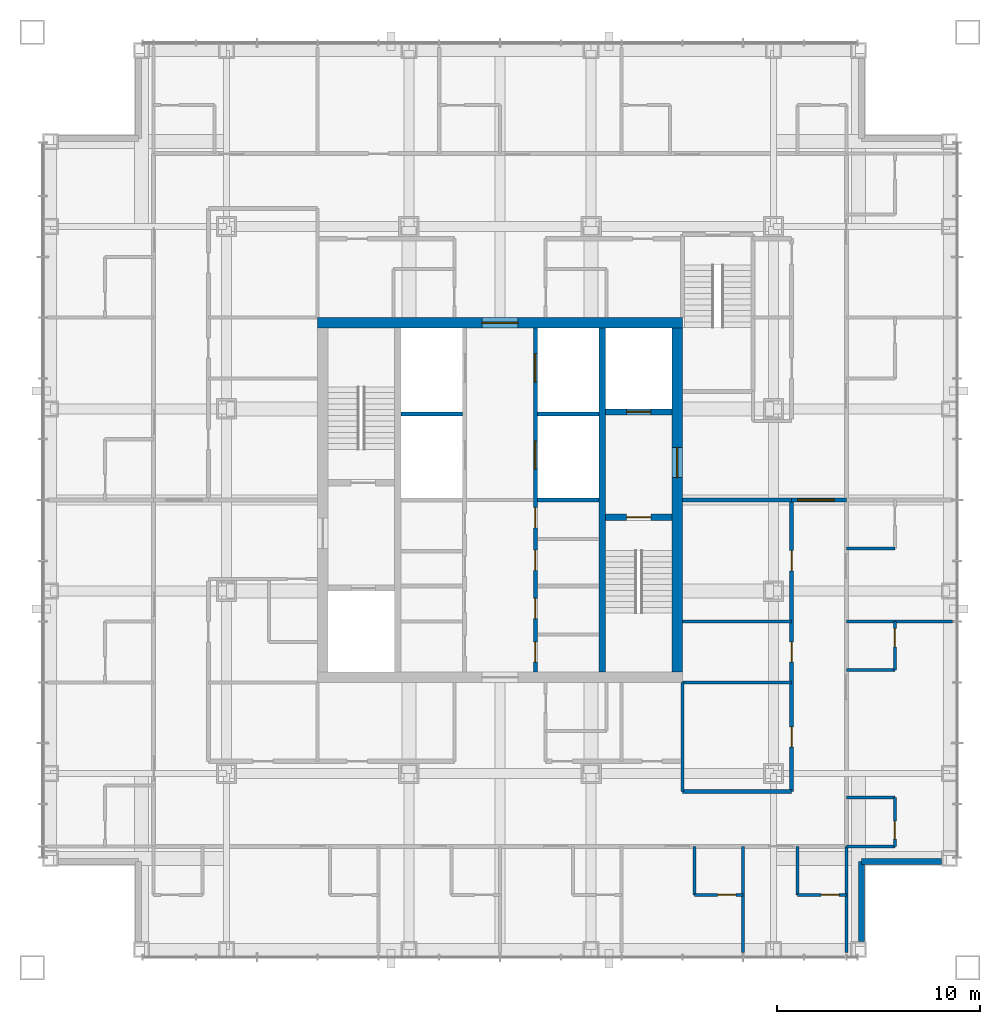
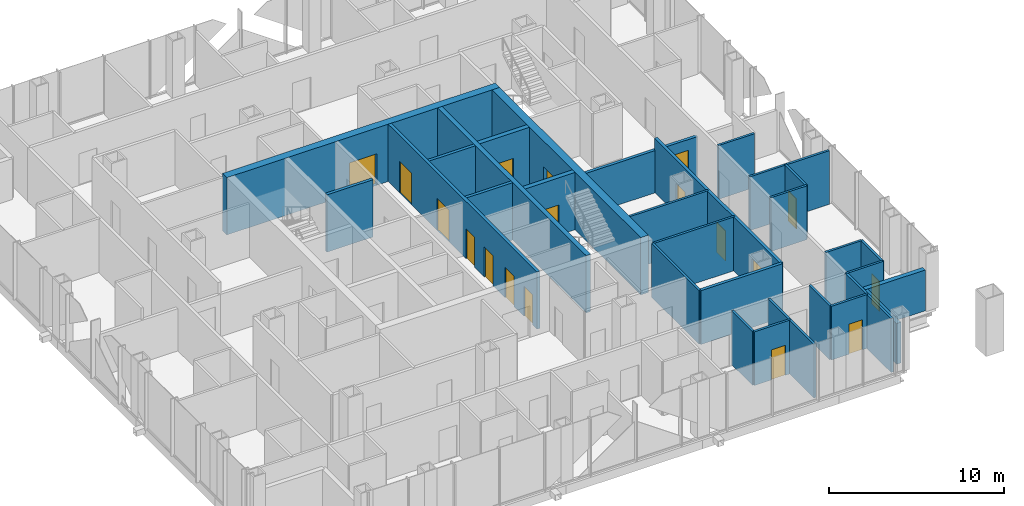
# One storey, part 14 of 17: 31 walls, 18 doors, 18 openings.
"""IFC4 building model written with IfcOpenShell, lengths in metres."""

from ifc_helpers import new_model, si_unit, direction, frame, frame_2d, origin, place, context, subcontext, project, spatial, rectangle, extrude, material, layer, layer_set, type_object, element, fill, save


model = new_model("IFC4")

# Units and contexts
model_context = context("Model", 3, precision=1e-05, world=origin(), true_north=direction((0.0, 1.0)))
body_context = subcontext(model_context, "Body", "Model", "MODEL_VIEW")
ifc_project = project(units=[si_unit("LENGTHUNIT", "METRE"), si_unit("AREAUNIT", "SQUARE_METRE"), si_unit("VOLUMEUNIT", "CUBIC_METRE"), si_unit("PLANEANGLEUNIT", "RADIAN"), si_unit("MASSUNIT", "GRAM", prefix="KILO")], contexts=[model_context])

# Site, building, storey
site_placement = place(None, origin())
site = spatial("IfcSite", under=ifc_project, at=site_placement, CompositionType="ELEMENT")
building_placement = place(site_placement, origin())
building = spatial("IfcBuilding", under=site, at=building_placement, Name="Malebo Sky Hospital", CompositionType="ELEMENT")
storey_placement = place(building_placement, frame((0.0, 0.0, 189.0)))
storey = spatial("IfcBuildingStorey", under=building, at=storey_placement, Name="L45", CompositionType="ELEMENT", Elevation=189.0)

# Wall, openings, doors
ifc_material_1 = material(Name="Concrete C80/95", Category="concrete")
ifc_layer_1 = layer(ifc_material_1, 0.199951171875)
ifc_layer_set_1 = layer_set([ifc_layer_1], Name="CORE INNER WALL 200")
wall_type_1 = type_object("IfcWallType", Name="CORE INNER WALL 200", PredefinedType="SHEAR", material=ifc_layer_set_1)
wall_1_placement = place(storey_placement, frame((61.75, 53.5, 0.0), z_axis=(0.0, 0.0, 1.0), x_axis=(0.0, 1.0, 0.0)))
wall_1 = element("IfcWall", 1, at=wall_1_placement, inside=storey, type_object=wall_type_1, Name="Core wall LE L45", PredefinedType="SHEAR", context=body_context, shape_type="SweptSolid", body=[
    extrude(rectangle(XDim=17.0, YDim=0.199951171875, at=frame_2d((8.5, 0.0))), origin(), (0.0, 0.0, 1.0), 4.0),
])
opening_1_placement = place(wall_1_placement, frame((0.49609375, 0.0, 0.0)))
opening_1 = element("IfcOpeningElement", 2, at=opening_1_placement, cuts=wall_1, Name="Opening D17", PredefinedType="OPENING", context=body_context, shape_type="SweptSolid", body=[
    extrude(rectangle(XDim=1.0, YDim=2.10009765625, at=frame_2d((0.5, 1.050048828125))), frame((0.0, 0.10986328125, 0.0), z_axis=(0.0, -1.0, 0.0), x_axis=(1.0, 0.0, 0.0)), (0.0, 0.0, 1.0), 0.219970703125),
])
opening_2_placement = place(wall_1_placement, frame((2.64599609375, 0.0, 0.0)))
opening_2 = element("IfcOpeningElement", 3, at=opening_2_placement, cuts=wall_1, Name="Opening D17", PredefinedType="OPENING", context=body_context, shape_type="SweptSolid", body=[
    extrude(rectangle(XDim=1.0, YDim=2.10009765625, at=frame_2d((0.5, 1.050048828125))), frame((0.0, 0.10986328125, 0.0), z_axis=(0.0, -1.0, 0.0), x_axis=(1.0, 0.0, 0.0)), (0.0, 0.0, 1.0), 0.219970703125),
])
opening_3_placement = place(wall_1_placement, frame((5.026611328125, 0.0, 0.0)))
opening_3 = element("IfcOpeningElement", 4, at=opening_3_placement, cuts=wall_1, Name="Opening D17", PredefinedType="OPENING", context=body_context, shape_type="SweptSolid", body=[
    extrude(rectangle(XDim=1.0, YDim=2.10009765625, at=frame_2d((0.5, 1.050048828125))), frame((0.0, 0.10986328125, 0.0), z_axis=(0.0, -1.0, 0.0), x_axis=(1.0, 0.0, 0.0)), (0.0, 0.0, 1.0), 0.219970703125),
])
opening_4_placement = place(wall_1_placement, frame((7.12646484375, 0.0, 0.0)))
opening_4 = element("IfcOpeningElement", 5, at=opening_4_placement, cuts=wall_1, Name="Opening D17", PredefinedType="OPENING", context=body_context, shape_type="SweptSolid", body=[
    extrude(rectangle(XDim=1.0, YDim=2.10009765625, at=frame_2d((0.5, 1.050048828125))), frame((0.0, 0.10986328125, 0.0), z_axis=(0.0, -1.0, 0.0), x_axis=(1.0, 0.0, 0.0)), (0.0, 0.0, 1.0), 0.219970703125),
])
opening_5_placement = place(wall_1_placement, frame((10.02490234375, 0.0, 0.0)))
opening_5 = element("IfcOpeningElement", 6, at=opening_5_placement, cuts=wall_1, Name="Opening LD1", PredefinedType="OPENING", context=body_context, shape_type="SweptSolid", body=[
    extrude(rectangle(XDim=1.39990234375, YDim=2.199951171875, at=frame_2d((0.699951171875, 1.10009765625))), frame((0.0, 0.10986328125, 0.0), z_axis=(0.0, -1.0, 0.0), x_axis=(1.0, 0.0, 0.0)), (0.0, 0.0, 1.0), 0.219970703125),
])
opening_6_placement = place(wall_1_placement, frame((14.324951171875, 0.0, 0.0)))
opening_6 = element("IfcOpeningElement", 7, at=opening_6_placement, cuts=wall_1, Name="Opening LD1", PredefinedType="OPENING", context=body_context, shape_type="SweptSolid", body=[
    extrude(rectangle(XDim=1.39990234375, YDim=2.199951171875, at=frame_2d((0.699951171875, 1.10009765625))), frame((0.0, 0.10986328125, 0.0), z_axis=(0.0, -1.0, 0.0), x_axis=(1.0, 0.0, 0.0)), (0.0, 0.0, 1.0), 0.219970703125),
])
ifc_material_2 = material(Name="Hardwood-faced door leaf in steel frame", Category="steel")
door_type_1 = type_object("IfcDoorType", Name="FIRE DOOR 1000", OperationType="SINGLE_SWING_LEFT", PredefinedType="DOOR", material=ifc_material_2)
door_1_placement = place(opening_1_placement, origin())
door_1 = element("IfcDoor", 8, at=door_1_placement, inside=storey, type_object=door_type_1, Name="Records store door", OperationType="SINGLE_SWING_RIGHT", OverallHeight=2.10009765625, OverallWidth=1.0, PredefinedType="DOOR", context=body_context, shape_type="SweptSolid", body=[
    extrude(rectangle(XDim=1.0, YDim=2.10009765625, at=frame_2d((0.5, 1.050048828125))), frame((0.0, 0.02490234375, 0.0), z_axis=(0.0, -1.0, 0.0), x_axis=(1.0, 0.0, 0.0)), (0.0, 0.0, 1.0), 0.050048828125),
])
fill(opening_1, door_1)
door_2_placement = place(opening_2_placement, origin())
door_2 = element("IfcDoor", 9, at=door_2_placement, inside=storey, type_object=door_type_1, Name="Equipment store door", OperationType="SINGLE_SWING_RIGHT", OverallHeight=2.10009765625, OverallWidth=1.0, PredefinedType="DOOR", context=body_context, shape_type="SweptSolid", body=[
    extrude(rectangle(XDim=1.0, YDim=2.10009765625, at=frame_2d((0.5, 1.050048828125))), frame((0.0, 0.02490234375, 0.0), z_axis=(0.0, -1.0, 0.0), x_axis=(1.0, 0.0, 0.0)), (0.0, 0.0, 1.0), 0.050048828125),
])
fill(opening_2, door_2)
door_3_placement = place(opening_3_placement, origin())
door_3 = element("IfcDoor", 10, at=door_3_placement, inside=storey, type_object=door_type_1, Name="Linen store door", OperationType="SINGLE_SWING_RIGHT", OverallHeight=2.10009765625, OverallWidth=1.0, PredefinedType="DOOR", context=body_context, shape_type="SweptSolid", body=[
    extrude(rectangle(XDim=1.0, YDim=2.10009765625, at=frame_2d((0.5, 1.050048828125))), frame((0.0, 0.02490234375, 0.0), z_axis=(0.0, -1.0, 0.0), x_axis=(1.0, 0.0, 0.0)), (0.0, 0.0, 1.0), 0.050048828125),
])
fill(opening_3, door_3)
door_4_placement = place(opening_4_placement, origin())
door_4 = element("IfcDoor", 11, at=door_4_placement, inside=storey, type_object=door_type_1, Name="Supplies store door", OperationType="SINGLE_SWING_RIGHT", OverallHeight=2.10009765625, OverallWidth=1.0, PredefinedType="DOOR", context=body_context, shape_type="SweptSolid", body=[
    extrude(rectangle(XDim=1.0, YDim=2.10009765625, at=frame_2d((0.5, 1.050048828125))), frame((0.0, 0.02490234375, 0.0), z_axis=(0.0, -1.0, 0.0), x_axis=(1.0, 0.0, 0.0)), (0.0, 0.0, 1.0), 0.050048828125),
])
fill(opening_4, door_4)
ifc_material_3 = material(Name="Stainless steel sliding landing door", Category="steel")
door_type_2 = type_object("IfcDoorType", Name="LIFT LANDING DOOR 1400", OperationType="SLIDING_TO_LEFT", PredefinedType="DOOR", material=ifc_material_3)
door_5_placement = place(opening_5_placement, origin())
door_5 = element("IfcDoor", 12, at=door_5_placement, inside=storey, type_object=door_type_2, Name="Lift E3 landing door", OperationType="SLIDING_TO_LEFT", OverallHeight=2.199951171875, OverallWidth=1.39990234375, PredefinedType="DOOR", context=body_context, shape_type="SweptSolid", body=[
    extrude(rectangle(XDim=1.39990234375, YDim=2.199951171875, at=frame_2d((0.699951171875, 1.10009765625))), frame((0.0, 0.02490234375, 0.0), z_axis=(0.0, -1.0, 0.0), x_axis=(1.0, 0.0, 0.0)), (0.0, 0.0, 1.0), 0.050048828125),
])
fill(opening_5, door_5)
door_6_placement = place(opening_6_placement, origin())
door_6 = element("IfcDoor", 13, at=door_6_placement, inside=storey, type_object=door_type_2, Name="Lift E4 landing door", OperationType="SLIDING_TO_LEFT", OverallHeight=2.199951171875, OverallWidth=1.39990234375, PredefinedType="DOOR", context=body_context, shape_type="SweptSolid", body=[
    extrude(rectangle(XDim=1.39990234375, YDim=2.199951171875, at=frame_2d((0.699951171875, 1.10009765625))), frame((0.0, 0.02490234375, 0.0), z_axis=(0.0, -1.0, 0.0), x_axis=(1.0, 0.0, 0.0)), (0.0, 0.0, 1.0), 0.050048828125),
])
fill(opening_6, door_6)

# Walls
for number, where, z_axis, x_axis, name in (
    (14, (61.85009765625, 62.0, 0.0), (0.0, 0.0, 1.0), (1.0, 0.0, 0.0), "Core wall SE1 L45"),
    (15, (55.10009765625, 66.25, 0.0), (0.0, 0.0, 1.0), (1.0, 0.0, 0.0), "Core wall SW2 L45"),
    (16, (61.85009765625, 66.25, 0.0), (0.0, 0.0, 1.0), (1.0, 0.0, 0.0), "Core wall SE2 L45"),
):
    element("IfcWall", number, at=place(storey_placement, frame(where, z_axis=z_axis, x_axis=x_axis)), inside=storey, type_object=wall_type_1, Name=name, PredefinedType="SHEAR", context=body_context, shape_type="SweptSolid", body=[
        extrude(rectangle(XDim=3.0498046875, YDim=0.199951171875, at=frame_2d((1.52490234375, 0.0))), origin(), (0.0, 0.0, 1.0), 4.0),
    ])
ifc_layer_2 = layer(ifc_material_1, 0.300048828125)
ifc_layer_set_2 = layer_set([ifc_layer_2], Name="CORE INNER WALL 300")
wall_type_2 = type_object("IfcWallType", Name="CORE INNER WALL 300", PredefinedType="SHEAR", material=ifc_layer_set_2)
wall_2_placement = place(storey_placement, frame((65.050048828125, 53.5, 0.0), z_axis=(0.0, 0.0, 1.0), x_axis=(0.0, 1.0, 0.0)))
element("IfcWall", 17, at=wall_2_placement, inside=storey, type_object=wall_type_2, Name="Core wall XE L45", PredefinedType="SHEAR", context=body_context, shape_type="SweptSolid", body=[
    extrude(rectangle(XDim=17.0, YDim=0.300048828125, at=frame_2d((8.5, 0.0))), origin(), (0.0, 0.0, 1.0), 4.0),
])

# Wall, opening, door
wall_3_placement = place(storey_placement, frame((65.199951171875, 61.14990234375, 0.0), z_axis=(0.0, 0.0, 1.0), x_axis=(1.0, 0.0, 0.0)))
wall_3 = element("IfcWall", 18, at=wall_3_placement, inside=storey, type_object=wall_type_2, Name="Core wall E1 L45", PredefinedType="SHEAR", context=body_context, shape_type="SweptSolid", body=[
    extrude(rectangle(XDim=3.300048828125, YDim=0.300048828125, at=frame_2d((1.64990234375, 0.0))), origin(), (0.0, 0.0, 1.0), 4.0),
])
opening_7_placement = place(wall_3_placement, frame((1.050048828125, 0.0, 0.0)))
opening_7 = element("IfcOpeningElement", 19, at=opening_7_placement, cuts=wall_3, Name="Opening D08", PredefinedType="OPENING", context=body_context, shape_type="SweptSolid", body=[
    extrude(rectangle(XDim=1.199951171875, YDim=2.10009765625, at=frame_2d((0.60009765625, 1.050048828125))), frame((0.0, 0.159912109375, 0.0), z_axis=(0.0, -1.0, 0.0), x_axis=(1.0, 0.0, 0.0)), (0.0, 0.0, 1.0), 0.320068359375),
])
door_type_3 = type_object("IfcDoorType", Name="STAIR DOOR 1200", OperationType="SINGLE_SWING_LEFT", PredefinedType="DOOR", material=ifc_material_2)
door_7_placement = place(opening_7_placement, origin())
door_7 = element("IfcDoor", 20, at=door_7_placement, inside=storey, type_object=door_type_3, Name="Stair S2 door", OperationType="SINGLE_SWING_LEFT", OverallHeight=2.10009765625, OverallWidth=1.199951171875, PredefinedType="DOOR", context=body_context, shape_type="SweptSolid", body=[
    extrude(rectangle(XDim=1.199951171875, YDim=2.10009765625, at=frame_2d((0.60009765625, 1.050048828125))), frame((0.0, 0.02490234375, 0.0), z_axis=(0.0, -1.0, 0.0), x_axis=(1.0, 0.0, 0.0)), (0.0, 0.0, 1.0), 0.050048828125),
])
fill(opening_7, door_7)

wall_4_placement = place(storey_placement, frame((65.199951171875, 66.35009765625, 0.0), z_axis=(0.0, 0.0, 1.0), x_axis=(1.0, 0.0, 0.0)))
wall_4 = element("IfcWall", 21, at=wall_4_placement, inside=storey, type_object=wall_type_2, Name="Core wall E2 L45", PredefinedType="SHEAR", context=body_context, shape_type="SweptSolid", body=[
    extrude(rectangle(XDim=3.300048828125, YDim=0.300048828125, at=frame_2d((1.64990234375, 0.0))), origin(), (0.0, 0.0, 1.0), 4.0),
])
opening_8_placement = place(wall_4_placement, frame((1.050048828125, 0.0, 0.0)))
opening_8 = element("IfcOpeningElement", 22, at=opening_8_placement, cuts=wall_4, Name="Opening LD2", PredefinedType="OPENING", context=body_context, shape_type="SweptSolid", body=[
    extrude(rectangle(XDim=1.199951171875, YDim=2.199951171875, at=frame_2d((0.60009765625, 1.10009765625))), frame((0.0, 0.159912109375, 0.0), z_axis=(0.0, -1.0, 0.0), x_axis=(1.0, 0.0, 0.0)), (0.0, 0.0, 1.0), 0.320068359375),
])
door_type_4 = type_object("IfcDoorType", Name="FIRE-FIGHTING LIFT LANDING DOOR 1200", OperationType="SLIDING_TO_LEFT", PredefinedType="DOOR", material=ifc_material_3)
door_8_placement = place(opening_8_placement, origin())
door_8 = element("IfcDoor", 23, at=door_8_placement, inside=storey, type_object=door_type_4, Name="Lift FL2 landing door", OperationType="SLIDING_TO_LEFT", OverallHeight=2.199951171875, OverallWidth=1.199951171875, PredefinedType="DOOR", context=body_context, shape_type="SweptSolid", body=[
    extrude(rectangle(XDim=1.199951171875, YDim=2.199951171875, at=frame_2d((0.60009765625, 1.10009765625))), frame((0.0, 0.02490234375, 0.0), z_axis=(0.0, -1.0, 0.0), x_axis=(1.0, 0.0, 0.0)), (0.0, 0.0, 1.0), 0.050048828125),
])
fill(opening_8, door_8)

ifc_layer_3 = layer(ifc_material_1, 0.5)
ifc_layer_set_3 = layer_set([ifc_layer_3], Name="CORE WALL 500")
wall_type_3 = type_object("IfcWallType", Name="CORE WALL 500", PredefinedType="SHEAR", material=ifc_layer_set_3)
wall_5_placement = place(storey_placement, frame((51.0, 70.75, 0.0), z_axis=(0.0, 0.0, 1.0), x_axis=(1.0, 0.0, 0.0)))
wall_5 = element("IfcWall", 24, at=wall_5_placement, inside=storey, type_object=wall_type_3, Name="Core wall N L45", PredefinedType="SHEAR", context=body_context, shape_type="SweptSolid", body=[
    extrude(rectangle(XDim=18.0, YDim=0.5, at=frame_2d((9.0, 0.0))), origin(), (0.0, 0.0, 1.0), 4.0),
])
opening_9_placement = place(wall_5_placement, frame((8.10009765625, 0.0, 0.0)))
opening_9 = element("IfcOpeningElement", 25, at=opening_9_placement, cuts=wall_5, Name="Opening D06", PredefinedType="OPENING", context=body_context, shape_type="SweptSolid", body=[
    extrude(rectangle(XDim=1.800048828125, YDim=2.199951171875, at=frame_2d((0.89990234375, 1.10009765625))), frame((0.0, 0.260009765625, 0.0), z_axis=(0.0, -1.0, 0.0), x_axis=(1.0, 0.0, 0.0)), (0.0, 0.0, 1.0), 0.52001953125),
])
door_type_5 = type_object("IfcDoorType", Name="LOBBY DOOR PAIR 1800", OperationType="DOUBLE_DOOR_SINGLE_SWING", PredefinedType="DOOR", material=ifc_material_2)
door_9_placement = place(opening_9_placement, origin())
door_9 = element("IfcDoor", 26, at=door_9_placement, inside=storey, type_object=door_type_5, Name="Lift lobby door north", OperationType="DOUBLE_DOOR_SINGLE_SWING", OverallHeight=2.199951171875, OverallWidth=1.800048828125, PredefinedType="DOOR", context=body_context, shape_type="SweptSolid", body=[
    extrude(rectangle(XDim=1.800048828125, YDim=2.199951171875, at=frame_2d((0.89990234375, 1.10009765625))), frame((0.0, 0.02490234375, 0.0), z_axis=(0.0, -1.0, 0.0), x_axis=(1.0, 0.0, 0.0)), (0.0, 0.0, 1.0), 0.050048828125),
])
fill(opening_9, door_9)

wall_6_placement = place(storey_placement, frame((68.75, 53.5, 0.0), z_axis=(0.0, 0.0, 1.0), x_axis=(0.0, 1.0, 0.0)))
wall_6 = element("IfcWall", 27, at=wall_6_placement, inside=storey, type_object=wall_type_3, Name="Core wall E L45", PredefinedType="SHEAR", context=body_context, shape_type="SweptSolid", body=[
    extrude(rectangle(XDim=17.0, YDim=0.5, at=frame_2d((8.5, 0.0))), origin(), (0.0, 0.0, 1.0), 4.0),
])
opening_10_placement = place(wall_6_placement, frame((9.60009765625, 0.0, 0.0)))
opening_10 = element("IfcOpeningElement", 28, at=opening_10_placement, cuts=wall_6, Name="Opening D07", PredefinedType="OPENING", context=body_context, shape_type="SweptSolid", body=[
    extrude(rectangle(XDim=1.5, YDim=2.199951171875, at=frame_2d((0.75, 1.10009765625))), frame((0.0, 0.260009765625, 0.0), z_axis=(0.0, -1.0, 0.0), x_axis=(1.0, 0.0, 0.0)), (0.0, 0.0, 1.0), 0.52001953125),
])
door_type_6 = type_object("IfcDoorType", Name="FIRE-FIGHTING LOBBY DOOR PAIR 1500", OperationType="DOUBLE_DOOR_SINGLE_SWING", PredefinedType="DOOR", material=ifc_material_2)
door_10_placement = place(opening_10_placement, origin())
door_10 = element("IfcDoor", 29, at=door_10_placement, inside=storey, type_object=door_type_6, Name="Fire-fighting lobby door east", OperationType="DOUBLE_DOOR_SINGLE_SWING", OverallHeight=2.199951171875, OverallWidth=1.5, PredefinedType="DOOR", context=body_context, shape_type="SweptSolid", body=[
    extrude(rectangle(XDim=1.5, YDim=2.199951171875, at=frame_2d((0.75, 1.10009765625))), frame((0.0, 0.02490234375, 0.0), z_axis=(0.0, -1.0, 0.0), x_axis=(1.0, 0.0, 0.0)), (0.0, 0.0, 1.0), 0.050048828125),
])
fill(opening_10, door_10)

# Wall
ifc_material_4 = material(Name="Gypsum board on steel studs", Category="steel")
ifc_layer_4 = layer(ifc_material_4, 0.199951171875)
ifc_layer_set_4 = layer_set([ifc_layer_4], Name="CORRIDOR WALL 200")
wall_type_4 = type_object("IfcWallType", Name="CORRIDOR WALL 200", PredefinedType="PARTITIONING", material=ifc_layer_set_4)
wall_7_placement = place(storey_placement, frame((74.39990234375, 47.60009765625, 0.0), z_axis=(0.0, 0.0, 1.0), x_axis=(-1.0, 0.0, 0.0)))
element("IfcWall", 30, at=wall_7_placement, inside=storey, type_object=wall_type_4, Name="Corridor Wall 200 SCIK", PredefinedType="PARTITIONING", context=body_context, shape_type="SweptSolid", body=[
    extrude(rectangle(XDim=5.39990234375, YDim=0.199951171875, at=frame_2d((2.699951171875, 0.0))), origin(), (0.0, 0.0, 1.0), 3.75),
])

# Wall, openings, doors
wall_8_placement = place(storey_placement, frame((74.39990234375, 62.0, 0.0), z_axis=(0.0, 0.0, 1.0), x_axis=(0.0, -1.0, 0.0)))
wall_8 = element("IfcWall", 31, at=wall_8_placement, inside=storey, type_object=wall_type_4, Name="Corridor Wall 200 ECI2", PredefinedType="PARTITIONING", context=body_context, shape_type="SweptSolid", body=[
    extrude(rectangle(XDim=14.39990234375, YDim=0.199951171875, at=frame_2d((7.199951171875, 0.0))), origin(), (0.0, 0.0, 1.0), 3.75),
])
opening_11_placement = place(wall_8_placement, frame((2.5, 0.0, 0.0)))
opening_11 = element("IfcOpeningElement", 32, at=opening_11_placement, cuts=wall_8, Name="Opening D03", PredefinedType="OPENING", context=body_context, shape_type="SweptSolid", body=[
    extrude(rectangle(XDim=1.0, YDim=2.10009765625, at=frame_2d((0.5, 1.050048828125))), frame((0.0, 0.10986328125, 0.0), z_axis=(0.0, -1.0, 0.0), x_axis=(1.0, 0.0, 0.0)), (0.0, 0.0, 1.0), 0.219970703125),
])
opening_12_placement = place(wall_8_placement, frame((7.0, 0.0, 0.0)))
opening_12 = element("IfcOpeningElement", 33, at=opening_12_placement, cuts=wall_8, Name="Opening D03", PredefinedType="OPENING", context=body_context, shape_type="SweptSolid", body=[
    extrude(rectangle(XDim=1.0, YDim=2.10009765625, at=frame_2d((0.5, 1.050048828125))), frame((0.0, 0.10986328125, 0.0), z_axis=(0.0, -1.0, 0.0), x_axis=(1.0, 0.0, 0.0)), (0.0, 0.0, 1.0), 0.219970703125),
])
opening_13_placement = place(wall_8_placement, frame((11.199951171875, 0.0, 0.0)))
opening_13 = element("IfcOpeningElement", 34, at=opening_13_placement, cuts=wall_8, Name="Opening D03", PredefinedType="OPENING", context=body_context, shape_type="SweptSolid", body=[
    extrude(rectangle(XDim=1.0, YDim=2.10009765625, at=frame_2d((0.5, 1.050048828125))), frame((0.0, 0.10986328125, 0.0), z_axis=(0.0, -1.0, 0.0), x_axis=(1.0, 0.0, 0.0)), (0.0, 0.0, 1.0), 0.219970703125),
])
door_type_7 = type_object("IfcDoorType", Name="ROOM DOOR 1000", OperationType="SINGLE_SWING_LEFT", PredefinedType="DOOR", material=ifc_material_2)
door_11_placement = place(opening_11_placement, origin())
door_11 = element("IfcDoor", 35, at=door_11_placement, inside=storey, type_object=door_type_7, Name="Treatment room door", OperationType="SINGLE_SWING_LEFT", OverallHeight=2.10009765625, OverallWidth=1.0, PredefinedType="DOOR", context=body_context, shape_type="SweptSolid", body=[
    extrude(rectangle(XDim=1.0, YDim=2.10009765625, at=frame_2d((0.5, 1.050048828125))), frame((0.0, 0.02490234375, 0.0), z_axis=(0.0, -1.0, 0.0), x_axis=(1.0, 0.0, 0.0)), (0.0, 0.0, 1.0), 0.050048828125),
])
fill(opening_11, door_11)
door_12_placement = place(opening_12_placement, origin())
door_12 = element("IfcDoor", 36, at=door_12_placement, inside=storey, type_object=door_type_7, Name="Medication room door", OperationType="SINGLE_SWING_LEFT", OverallHeight=2.10009765625, OverallWidth=1.0, PredefinedType="DOOR", context=body_context, shape_type="SweptSolid", body=[
    extrude(rectangle(XDim=1.0, YDim=2.10009765625, at=frame_2d((0.5, 1.050048828125))), frame((0.0, 0.02490234375, 0.0), z_axis=(0.0, -1.0, 0.0), x_axis=(1.0, 0.0, 0.0)), (0.0, 0.0, 1.0), 0.050048828125),
])
fill(opening_12, door_12)
door_13_placement = place(opening_13_placement, origin())
door_13 = element("IfcDoor", 37, at=door_13_placement, inside=storey, type_object=door_type_7, Name="Ward pantry door", OperationType="SINGLE_SWING_RIGHT", OverallHeight=2.10009765625, OverallWidth=1.0, PredefinedType="DOOR", context=body_context, shape_type="SweptSolid", body=[
    extrude(rectangle(XDim=1.0, YDim=2.10009765625, at=frame_2d((0.5, 1.050048828125))), frame((0.0, 0.02490234375, 0.0), z_axis=(0.0, -1.0, 0.0), x_axis=(1.0, 0.0, 0.0)), (0.0, 0.0, 1.0), 0.050048828125),
])
fill(opening_13, door_13)

# Walls
ifc_material_5 = material(Name="Anodised aluminium rainscreen on steel framing", Category="steel")
ifc_layer_5 = layer(ifc_material_5, 0.300048828125)
ifc_layer_set_5 = layer_set([ifc_layer_5], Name="NOTCH RAINSCREEN WALL 300")
wall_type_5 = type_object("IfcWallType", Name="NOTCH RAINSCREEN WALL 300", PredefinedType="ELEMENTEDWALL", material=ifc_layer_set_5)
for number, where, z_axis, x_axis, name in (
    (38, (81.800048828125, 44.14990234375, 0.0), (0.0, 0.0, 1.0), (-1.0, 0.0, 0.0), "Notch rainscreen wall E1 L45"),
    (39, (77.85009765625, 44.14990234375, 0.0), (0.0, 0.0, 1.0), (0.0, -1.0, 0.0), "Notch rainscreen wall E2 L45"),
):
    element("IfcWall", number, at=place(storey_placement, frame(where, z_axis=z_axis, x_axis=x_axis)), inside=storey, type_object=wall_type_5, Name=name, PredefinedType="ELEMENTEDWALL", context=body_context, shape_type="SweptSolid", body=[
        extrude(rectangle(XDim=3.949951171875, YDim=0.300048828125, at=frame_2d((1.97509765625, 0.0))), origin(), (0.0, 0.0, 1.0), 2.85009765625),
    ])
ifc_layer_6 = layer(ifc_material_4, 0.14990234375)
ifc_layer_set_6 = layer_set([ifc_layer_6], Name="PARTITION 150")
wall_type_6 = type_object("IfcWallType", Name="PARTITION 150", PredefinedType="PARTITIONING", material=ifc_layer_set_6)
for number, where, z_axis, x_axis, name in (
    (40, (72.0, 44.89990234375, 0.0), (0.0, 0.0, 1.0), (0.0, -1.0, 0.0), "Partition 150 SP-12.0"),
    (41, (77.10009765625, 44.89990234375, 0.0), (0.0, 0.0, 1.0), (0.0, -1.0, 0.0), "Partition 150 SP0"),
):
    element("IfcWall", number, at=place(storey_placement, frame(where, z_axis=z_axis, x_axis=x_axis)), inside=storey, type_object=wall_type_6, Name=name, PredefinedType="PARTITIONING", context=body_context, shape_type="SweptSolid", body=[
        extrude(rectangle(XDim=5.25, YDim=0.14990234375, at=frame_2d((2.625, 0.0))), origin(), (0.0, 0.0, 1.0), 3.75),
    ])

# Wall, opening, door
wall_9_placement = place(storey_placement, frame((77.10009765625, 42.5, 0.0), z_axis=(0.0, 0.0, 1.0), x_axis=(-1.0, 0.0, 0.0)))
wall_9 = element("IfcWall", 42, at=wall_9_placement, inside=storey, type_object=wall_type_6, Name="Partition 150 SE0F", PredefinedType="PARTITIONING", context=body_context, shape_type="SweptSolid", body=[
    extrude(rectangle(XDim=2.400146484375, YDim=0.14990234375, at=frame_2d((1.2001953125, 0.0))), origin(), (0.0, 0.0, 1.0), 3.75),
])
opening_14_placement = place(wall_9_placement, frame((0.35009765625, 0.0, 0.0)))
opening_14 = element("IfcOpeningElement", 43, at=opening_14_placement, cuts=wall_9, Name="Opening D02", PredefinedType="OPENING", context=body_context, shape_type="SweptSolid", body=[
    extrude(rectangle(XDim=0.89990234375, YDim=2.10009765625, at=frame_2d((0.449951171875, 1.050048828125))), frame((0.0, 0.0849609375, 0.0), z_axis=(0.0, -1.0, 0.0), x_axis=(1.0, 0.0, 0.0)), (0.0, 0.0, 1.0), 0.169921875),
])
door_type_8 = type_object("IfcDoorType", Name="EN-SUITE DOOR 900", OperationType="SINGLE_SWING_LEFT", PredefinedType="DOOR", material=ifc_material_2)
door_14_placement = place(opening_14_placement, origin())
door_14 = element("IfcDoor", 44, at=door_14_placement, inside=storey, type_object=door_type_8, Name="En-suite door", OperationType="SINGLE_SWING_LEFT", OverallHeight=2.10009765625, OverallWidth=0.89990234375, PredefinedType="DOOR", context=body_context, shape_type="SweptSolid", body=[
    extrude(rectangle(XDim=0.89990234375, YDim=2.10009765625, at=frame_2d((0.449951171875, 1.050048828125))), frame((0.0, 0.02490234375, 0.0), z_axis=(0.0, -1.0, 0.0), x_axis=(1.0, 0.0, 0.0)), (0.0, 0.0, 1.0), 0.050048828125),
])
fill(opening_14, door_14)

# Wall
wall_10_placement = place(storey_placement, frame((74.699951171875, 44.89990234375, 0.0), z_axis=(0.0, 0.0, 1.0), x_axis=(0.0, -1.0, 0.0)))
element("IfcWall", 45, at=wall_10_placement, inside=storey, type_object=wall_type_6, Name="Partition 150 SE0S", PredefinedType="PARTITIONING", context=body_context, shape_type="SweptSolid", body=[
    extrude(rectangle(XDim=2.39990234375, YDim=0.14990234375, at=frame_2d((1.199951171875, 0.0))), origin(), (0.0, 0.0, 1.0), 3.75),
])

# Wall, opening, door
wall_11_placement = place(storey_placement, frame((72.0, 42.5, 0.0), z_axis=(0.0, 0.0, 1.0), x_axis=(-1.0, 0.0, 0.0)))
wall_11 = element("IfcWall", 46, at=wall_11_placement, inside=storey, type_object=wall_type_6, Name="Partition 150 SE1F", PredefinedType="PARTITIONING", context=body_context, shape_type="SweptSolid", body=[
    extrude(rectangle(XDim=2.39990234375, YDim=0.14990234375, at=frame_2d((1.199951171875, 0.0))), origin(), (0.0, 0.0, 1.0), 3.75),
])
opening_15_placement = place(wall_11_placement, frame((0.35009765625, 0.0, 0.0)))
opening_15 = element("IfcOpeningElement", 47, at=opening_15_placement, cuts=wall_11, Name="Opening D02", PredefinedType="OPENING", context=body_context, shape_type="SweptSolid", body=[
    extrude(rectangle(XDim=0.89990234375, YDim=2.10009765625, at=frame_2d((0.449951171875, 1.050048828125))), frame((0.0, 0.0849609375, 0.0), z_axis=(0.0, -1.0, 0.0), x_axis=(1.0, 0.0, 0.0)), (0.0, 0.0, 1.0), 0.169921875),
])
door_15_placement = place(opening_15_placement, origin())
door_15 = element("IfcDoor", 48, at=door_15_placement, inside=storey, type_object=door_type_8, Name="En-suite door", OperationType="SINGLE_SWING_LEFT", OverallHeight=2.10009765625, OverallWidth=0.89990234375, PredefinedType="DOOR", context=body_context, shape_type="SweptSolid", body=[
    extrude(rectangle(XDim=0.89990234375, YDim=2.10009765625, at=frame_2d((0.449951171875, 1.050048828125))), frame((0.0, 0.02490234375, 0.0), z_axis=(0.0, -1.0, 0.0), x_axis=(1.0, 0.0, 0.0)), (0.0, 0.0, 1.0), 0.050048828125),
])
fill(opening_15, door_15)

# Walls
wall_12_placement = place(storey_placement, frame((69.60009765625, 44.89990234375, 0.0), z_axis=(0.0, 0.0, 1.0), x_axis=(0.0, -1.0, 0.0)))
element("IfcWall", 49, at=wall_12_placement, inside=storey, type_object=wall_type_6, Name="Partition 150 SE1S", PredefinedType="PARTITIONING", context=body_context, shape_type="SweptSolid", body=[
    extrude(rectangle(XDim=2.39990234375, YDim=0.14990234375, at=frame_2d((1.199951171875, 0.0))), origin(), (0.0, 0.0, 1.0), 3.75),
])
wall_13_placement = place(storey_placement, frame((69.0, 53.0, 0.0), z_axis=(0.0, 0.0, 1.0), x_axis=(0.0, -1.0, 0.0)))
element("IfcWall", 50, at=wall_13_placement, inside=storey, type_object=wall_type_6, Name="Partition 150 SSP0", PredefinedType="PARTITIONING", context=body_context, shape_type="SweptSolid", body=[
    extrude(rectangle(XDim=5.39990234375, YDim=0.14990234375, at=frame_2d((2.699951171875, 0.0))), origin(), (0.0, 0.0, 1.0), 3.75),
])
wall_14_placement = place(storey_placement, frame((77.10009765625, 56.0, 0.0), z_axis=(0.0, 0.0, 1.0), x_axis=(1.0, 0.0, 0.0)))
element("IfcWall", 51, at=wall_14_placement, inside=storey, type_object=wall_type_6, Name="Partition 150 EP+6.0", PredefinedType="PARTITIONING", context=body_context, shape_type="SweptSolid", body=[
    extrude(rectangle(XDim=5.25, YDim=0.14990234375, at=frame_2d((2.625, 0.0))), origin(), (0.0, 0.0, 1.0), 3.75),
])
wall_15_placement = place(storey_placement, frame((77.10009765625, 59.60009765625, 0.0), z_axis=(0.0, 0.0, 1.0), x_axis=(1.0, 0.0, 0.0)))
element("IfcWall", 52, at=wall_15_placement, inside=storey, type_object=wall_type_6, Name="Partition 150 EE2S", PredefinedType="PARTITIONING", context=body_context, shape_type="SweptSolid", body=[
    extrude(rectangle(XDim=2.39990234375, YDim=0.14990234375, at=frame_2d((1.199951171875, 0.0))), origin(), (0.0, 0.0, 1.0), 3.75),
])

# Wall, opening, door
wall_16_placement = place(storey_placement, frame((79.5, 56.0, 0.0), z_axis=(0.0, 0.0, 1.0), x_axis=(0.0, -1.0, 0.0)))
wall_16 = element("IfcWall", 53, at=wall_16_placement, inside=storey, type_object=wall_type_6, Name="Partition 150 EE3F", PredefinedType="PARTITIONING", context=body_context, shape_type="SweptSolid", body=[
    extrude(rectangle(XDim=2.39990234375, YDim=0.14990234375, at=frame_2d((1.199951171875, 0.0))), origin(), (0.0, 0.0, 1.0), 3.75),
])
opening_16_placement = place(wall_16_placement, frame((0.35009765625, 0.0, 0.0)))
opening_16 = element("IfcOpeningElement", 54, at=opening_16_placement, cuts=wall_16, Name="Opening D02", PredefinedType="OPENING", context=body_context, shape_type="SweptSolid", body=[
    extrude(rectangle(XDim=0.89990234375, YDim=2.10009765625, at=frame_2d((0.449951171875, 1.050048828125))), frame((0.0, 0.0849609375, 0.0), z_axis=(0.0, -1.0, 0.0), x_axis=(1.0, 0.0, 0.0)), (0.0, 0.0, 1.0), 0.169921875),
])
door_16_placement = place(opening_16_placement, origin())
door_16 = element("IfcDoor", 55, at=door_16_placement, inside=storey, type_object=door_type_8, Name="En-suite door", OperationType="SINGLE_SWING_LEFT", OverallHeight=2.10009765625, OverallWidth=0.89990234375, PredefinedType="DOOR", context=body_context, shape_type="SweptSolid", body=[
    extrude(rectangle(XDim=0.89990234375, YDim=2.10009765625, at=frame_2d((0.449951171875, 1.050048828125))), frame((0.0, 0.02490234375, 0.0), z_axis=(0.0, -1.0, 0.0), x_axis=(1.0, 0.0, 0.0)), (0.0, 0.0, 1.0), 0.050048828125),
])
fill(opening_16, door_16)

# Wall
wall_17_placement = place(storey_placement, frame((77.10009765625, 53.60009765625, 0.0), z_axis=(0.0, 0.0, 1.0), x_axis=(1.0, 0.0, 0.0)))
element("IfcWall", 56, at=wall_17_placement, inside=storey, type_object=wall_type_6, Name="Partition 150 EE3S", PredefinedType="PARTITIONING", context=body_context, shape_type="SweptSolid", body=[
    extrude(rectangle(XDim=2.39990234375, YDim=0.14990234375, at=frame_2d((1.199951171875, 0.0))), origin(), (0.0, 0.0, 1.0), 3.75),
])

# Wall, opening, door
wall_18_placement = place(storey_placement, frame((79.5, 47.300048828125, 0.0), z_axis=(0.0, 0.0, 1.0), x_axis=(0.0, -1.0, 0.0)))
wall_18 = element("IfcWall", 57, at=wall_18_placement, inside=storey, type_object=wall_type_6, Name="Partition 150 EG3F", PredefinedType="PARTITIONING", context=body_context, shape_type="SweptSolid", body=[
    extrude(rectangle(XDim=2.400146484375, YDim=0.14990234375, at=frame_2d((1.2001953125, 0.0))), origin(), (0.0, 0.0, 1.0), 3.75),
])
opening_17_placement = place(wall_18_placement, frame((1.14990234375, 0.0, 0.0)))
opening_17 = element("IfcOpeningElement", 58, at=opening_17_placement, cuts=wall_18, Name="Opening D02", PredefinedType="OPENING", context=body_context, shape_type="SweptSolid", body=[
    extrude(rectangle(XDim=0.89990234375, YDim=2.10009765625, at=frame_2d((0.449951171875, 1.050048828125))), frame((0.0, 0.0849609375, 0.0), z_axis=(0.0, -1.0, 0.0), x_axis=(1.0, 0.0, 0.0)), (0.0, 0.0, 1.0), 0.169921875),
])
door_17_placement = place(opening_17_placement, origin())
door_17 = element("IfcDoor", 59, at=door_17_placement, inside=storey, type_object=door_type_8, Name="En-suite door", OperationType="SINGLE_SWING_RIGHT", OverallHeight=2.10009765625, OverallWidth=0.89990234375, PredefinedType="DOOR", context=body_context, shape_type="SweptSolid", body=[
    extrude(rectangle(XDim=0.89990234375, YDim=2.10009765625, at=frame_2d((0.449951171875, 1.050048828125))), frame((0.0, 0.02490234375, 0.0), z_axis=(0.0, -1.0, 0.0), x_axis=(1.0, 0.0, 0.0)), (0.0, 0.0, 1.0), 0.050048828125),
])
fill(opening_17, door_17)

# Walls
for number, where, z_axis, x_axis, name in (
    (60, (77.10009765625, 47.300048828125, 0.0), (0.0, 0.0, 1.0), (1.0, 0.0, 0.0), "Partition 150 EG3S"),
    (61, (77.10009765625, 44.89990234375, 0.0), (0.0, 0.0, 1.0), (1.0, 0.0, 0.0), "Partition 150 EEZ"),
):
    element("IfcWall", number, at=place(storey_placement, frame(where, z_axis=z_axis, x_axis=x_axis)), inside=storey, type_object=wall_type_6, Name=name, PredefinedType="PARTITIONING", context=body_context, shape_type="SweptSolid", body=[
        extrude(rectangle(XDim=2.39990234375, YDim=0.14990234375, at=frame_2d((1.199951171875, 0.0))), origin(), (0.0, 0.0, 1.0), 3.75),
    ])
for number, where, z_axis, x_axis, name in (
    (62, (69.0, 56.0, 0.0), (0.0, 0.0, 1.0), (1.0, 0.0, 0.0), "Partition 150 ESP+6.0"),
    (63, (69.0, 53.0, 0.0), (0.0, 0.0, 1.0), (1.0, 0.0, 0.0), "Partition 150 ESP+9.0"),
):
    element("IfcWall", number, at=place(storey_placement, frame(where, z_axis=z_axis, x_axis=x_axis)), inside=storey, type_object=wall_type_6, Name=name, PredefinedType="PARTITIONING", context=body_context, shape_type="SweptSolid", body=[
        extrude(rectangle(XDim=5.39990234375, YDim=0.14990234375, at=frame_2d((2.699951171875, 0.0))), origin(), (0.0, 0.0, 1.0), 3.75),
    ])
ifc_material_6 = material(Name="Concrete blockwork", Category="masonry")
ifc_layer_7 = layer(ifc_material_6, 0.199951171875)
ifc_layer_set_7 = layer_set([ifc_layer_7], Name="SMOKE BARRIER WALL 200")
wall_type_7 = type_object("IfcWallType", Name="SMOKE BARRIER WALL 200", PredefinedType="SOLIDWALL", material=ifc_layer_set_7)
wall_19_placement = place(storey_placement, frame((69.0, 62.0, 0.0), z_axis=(0.0, 0.0, 1.0), x_axis=(1.0, 0.0, 0.0)))
element("IfcWall", 64, at=wall_19_placement, inside=storey, type_object=wall_type_7, Name="Smoke Barrier Wall 200 ESPB", PredefinedType="SOLIDWALL", context=body_context, shape_type="SweptSolid", body=[
    extrude(rectangle(XDim=5.39990234375, YDim=0.199951171875, at=frame_2d((2.699951171875, 0.0))), origin(), (0.0, 0.0, 1.0), 2.949951171875),
])

# Wall, opening, door
wall_20_placement = place(storey_placement, frame((74.39990234375, 62.0, 0.0), z_axis=(0.0, 0.0, 1.0), x_axis=(1.0, 0.0, 0.0)))
wall_20 = element("IfcWall", 65, at=wall_20_placement, inside=storey, type_object=wall_type_7, Name="Smoke Barrier Wall 200 ESB", PredefinedType="SOLIDWALL", context=body_context, shape_type="SweptSolid", body=[
    extrude(rectangle(XDim=2.7001953125, YDim=0.199951171875, at=frame_2d((1.35009765625, 0.0))), origin(), (0.0, 0.0, 1.0), 2.949951171875),
])
opening_18_placement = place(wall_20_placement, frame((0.300048828125, 0.0, 0.0)))
opening_18 = element("IfcOpeningElement", 66, at=opening_18_placement, cuts=wall_20, Name="Opening D05", PredefinedType="OPENING", context=body_context, shape_type="SweptSolid", body=[
    extrude(rectangle(XDim=1.800048828125, YDim=2.199951171875, at=frame_2d((0.89990234375, 1.10009765625))), frame((0.0, 0.10986328125, 0.0), z_axis=(0.0, -1.0, 0.0), x_axis=(1.0, 0.0, 0.0)), (0.0, 0.0, 1.0), 0.219970703125),
])
door_type_9 = type_object("IfcDoorType", Name="SMOKE DOOR PAIR 1800", OperationType="DOUBLE_DOOR_DOUBLE_SWING", PredefinedType="DOOR", material=ifc_material_2)
door_18_placement = place(opening_18_placement, origin())
door_18 = element("IfcDoor", 67, at=door_18_placement, inside=storey, type_object=door_type_9, Name="Smoke compartment door pair", OperationType="DOUBLE_DOOR_DOUBLE_SWING", OverallHeight=2.199951171875, OverallWidth=1.800048828125, PredefinedType="DOOR", context=body_context, shape_type="SweptSolid", body=[
    extrude(rectangle(XDim=1.800048828125, YDim=2.199951171875, at=frame_2d((0.89990234375, 1.10009765625))), frame((0.0, 0.02490234375, 0.0), z_axis=(0.0, -1.0, 0.0), x_axis=(1.0, 0.0, 0.0)), (0.0, 0.0, 1.0), 0.050048828125),
])
fill(opening_18, door_18)

save(model, "model.ifc")
